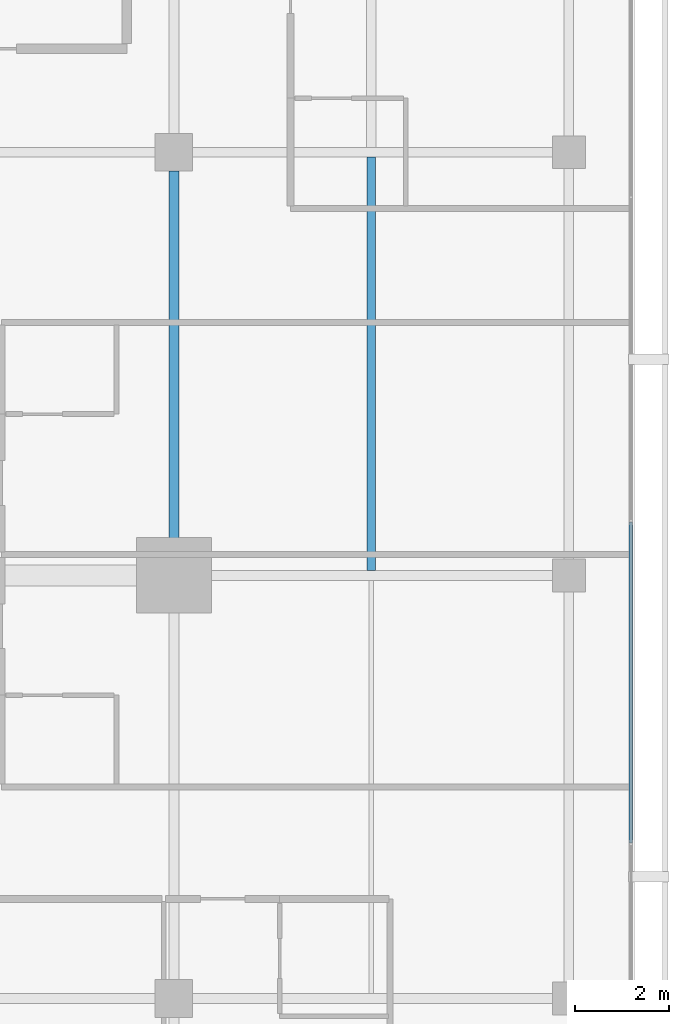
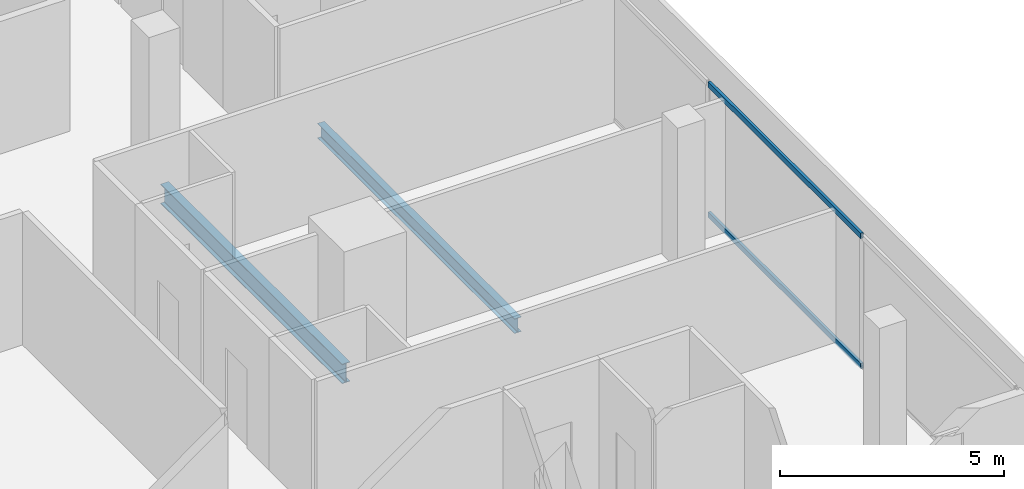
# One storey, part 13 of 26: 2 beams, 2 members, 1 element without a shape of its own.
"""IFC4 building model written with IfcOpenShell, lengths in metres."""

from ifc_helpers import new_model, si_unit, direction, frame, origin, origin_2d, place, context, subcontext, project, spatial, hollow_rectangle, i_section, extrude, material, layer, layer_set, material_profile, profile_set, type_object, element, aggregate, save


model = new_model("IFC4")

# Units and contexts
model_context = context("Model", 3, precision=1e-05, world=origin(), true_north=direction((0.0, 1.0)))
body_context = subcontext(model_context, "Body", "Model", "MODEL_VIEW")
ifc_project = project(units=[si_unit("LENGTHUNIT", "METRE"), si_unit("AREAUNIT", "SQUARE_METRE"), si_unit("VOLUMEUNIT", "CUBIC_METRE"), si_unit("PLANEANGLEUNIT", "RADIAN"), si_unit("MASSUNIT", "GRAM", prefix="KILO")], contexts=[model_context])

# Site, building, storey
site_placement = place(None, origin())
site = spatial("IfcSite", under=ifc_project, at=site_placement, CompositionType="ELEMENT")
building_placement = place(site_placement, origin())
building = spatial("IfcBuilding", under=site, at=building_placement, Name="Maruvema Waterfront Hotel and Observation Tower", CompositionType="ELEMENT")
storey_placement = place(building_placement, frame((0.0, 0.0, 254.800048828125)))
storey = spatial("IfcBuildingStorey", under=building, at=storey_placement, Name="L62", CompositionType="ELEMENT", Elevation=254.800048828125)

# Curtain wall, members
ifc_material_1 = material(Name="Anodised bronze aluminium and solar-control low-E IGU", Category="aluminium")
ifc_layer = layer(ifc_material_1, 0.159912109375, Name="Zone 3 Champagne Inner Thermal Curtain Wall System CW-04")
ifc_layer_set = layer_set([ifc_layer], Name="Anodised bronze aluminium and solar-control low-E IGU")
curtain_wall_type = type_object("IfcCurtainWallType", Name="Zone 3 Champagne Inner Thermal Curtain Wall System CW-04", PredefinedType="USERDEFINED", material=ifc_layer_set)
curtain_wall_placement = place(storey_placement, origin())
curtain_wall = element("IfcCurtainWall", 1, at=curtain_wall_placement, inside=storey, type_object=curtain_wall_type, Name="L62 Curtain Wall CW-L62-E", ObjectType="UNITISED CURTAIN WALL", PredefinedType="USERDEFINED")
ifc_material_2 = material(Name="Anodised architectural bronze aluminium", Category="aluminium")
ifc_material_profile_1 = material_profile(ifc_material_2, hollow_rectangle(XDim=0.070068359375, YDim=0.14990234375, WallThickness=0.00390625, at=origin_2d()), Name="ALU-T70x150")
ifc_profile_set_1 = profile_set([ifc_material_profile_1], Name="Anodised architectural bronze aluminium")
member_type = type_object("IfcMemberType", Name="Curtain Wall Horizontal Transom ALU-T70x150", PredefinedType="USERDEFINED", material=ifc_profile_set_1)
member_1_placement = place(storey_placement, frame((60.1201171875, 21.31005859375, 0.030029296875), z_axis=(0.0, 1.0, 0.0), x_axis=(-1.0, 0.0, 0.0)))
member_1 = element("IfcMember", 2, at=member_1_placement, type_object=member_type, Name="CW-04 transom 2.1", ObjectType="TRANSOM", PredefinedType="USERDEFINED", context=body_context, shape_type="SweptSolid", body=[
    extrude(hollow_rectangle(XDim=0.070068359375, YDim=0.14990234375, WallThickness=0.00390625, at=origin_2d()), origin(), (0.0, 0.0, 1.0), 6.81982421875),
])
member_2_placement = place(storey_placement, frame((60.1201171875, 21.31005859375, 3.579833984375), z_axis=(0.0, 1.0, 0.0), x_axis=(-1.0, 0.0, 0.0)))
member_2 = element("IfcMember", 3, at=member_2_placement, type_object=member_type, Name="CW-04 transom 2.2", ObjectType="TRANSOM", PredefinedType="USERDEFINED", context=body_context, shape_type="SweptSolid", body=[
    extrude(hollow_rectangle(XDim=0.070068359375, YDim=0.14990234375, WallThickness=0.00390625, at=origin_2d()), origin(), (0.0, 0.0, 1.0), 6.81982421875),
])
aggregate(curtain_wall, [member_1, member_2])

# Beams
ifc_material_3 = material(Name="Steel ASTM A572 Grade 50", Category="steel")
ifc_material_profile_2 = material_profile(ifc_material_3, i_section(OverallWidth=0.208984375, OverallDepth=0.532958984375, WebThickness=0.01025390625, FlangeThickness=0.015625, FilletRadius=0.014892578125, at=origin_2d()), Name="W530x92.0")
ifc_profile_set_2 = profile_set([ifc_material_profile_2], Name="Steel ASTM A572 Grade 50")
beam_type_1 = type_object("IfcBeamType", Name="Primary Floor Girder W530x92.0", PredefinedType="BEAM", material=ifc_profile_set_2)
beam_1_placement = place(storey_placement, frame((50.39990234375, 27.5, -0.506591796875), z_axis=(0.0, 1.0, 0.0), x_axis=(-1.0, 0.0, 0.0)))
element("IfcBeam", 4, at=beam_1_placement, inside=storey, type_object=beam_type_1, Name="L62 Floor Girder NS-14", PredefinedType="BEAM", context=body_context, shape_type="SweptSolid", body=[
    extrude(i_section(OverallWidth=0.208984375, OverallDepth=0.532958984375, WebThickness=0.01025390625, FlangeThickness=0.015625, FilletRadius=0.014892578125, at=origin_2d()), origin(), (0.0, 0.0, 1.0), 8.10009765625),
])
ifc_material_4 = material(Name="Steel ASTM A572 Grade 50", Category="steel")
ifc_material_profile_3 = material_profile(ifc_material_4, i_section(OverallWidth=0.177001953125, OverallDepth=0.403076171875, WebThickness=0.007568359375, FlangeThickness=0.010986328125, FilletRadius=0.014892578125, at=origin_2d()), Name="W410x53.0")
ifc_profile_set_3 = profile_set([ifc_material_profile_3], Name="Steel ASTM A572 Grade 50")
beam_type_2 = type_object("IfcBeamType", Name="Secondary Floor Joist W410x53.0", PredefinedType="JOIST", material=ifc_profile_set_3)
beam_2_placement = place(storey_placement, frame((54.60009765625, 27.1044921875, -0.441650390625), z_axis=(0.0, 1.0, 0.0), x_axis=(-1.0, 0.0, 0.0)))
element("IfcBeam", 5, at=beam_2_placement, inside=storey, type_object=beam_type_2, Name="L62 Secondary Floor Joist JS-08", PredefinedType="JOIST", context=body_context, shape_type="SweptSolid", body=[
    extrude(i_section(OverallWidth=0.177001953125, OverallDepth=0.403076171875, WebThickness=0.007568359375, FlangeThickness=0.010986328125, FilletRadius=0.014892578125, at=origin_2d()), origin(), (0.0, 0.0, 1.0), 8.791015625),
])

save(model, "model.ifc")
